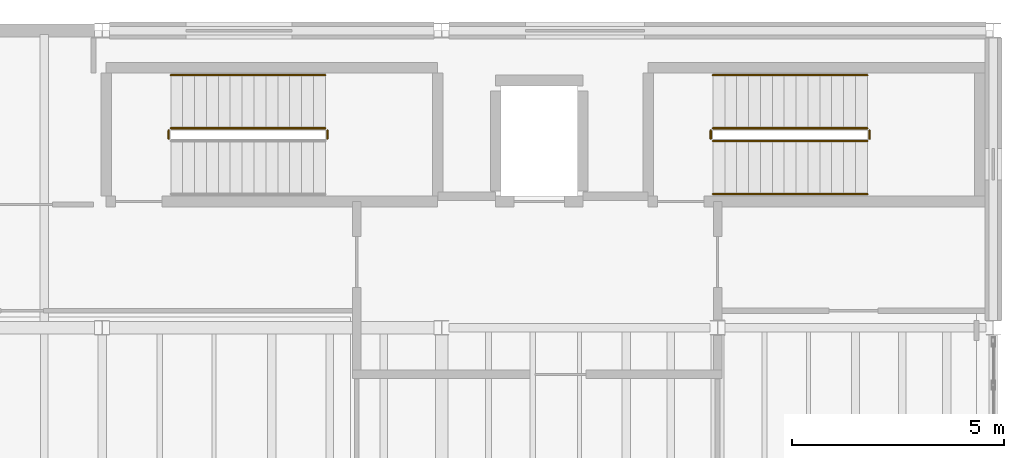
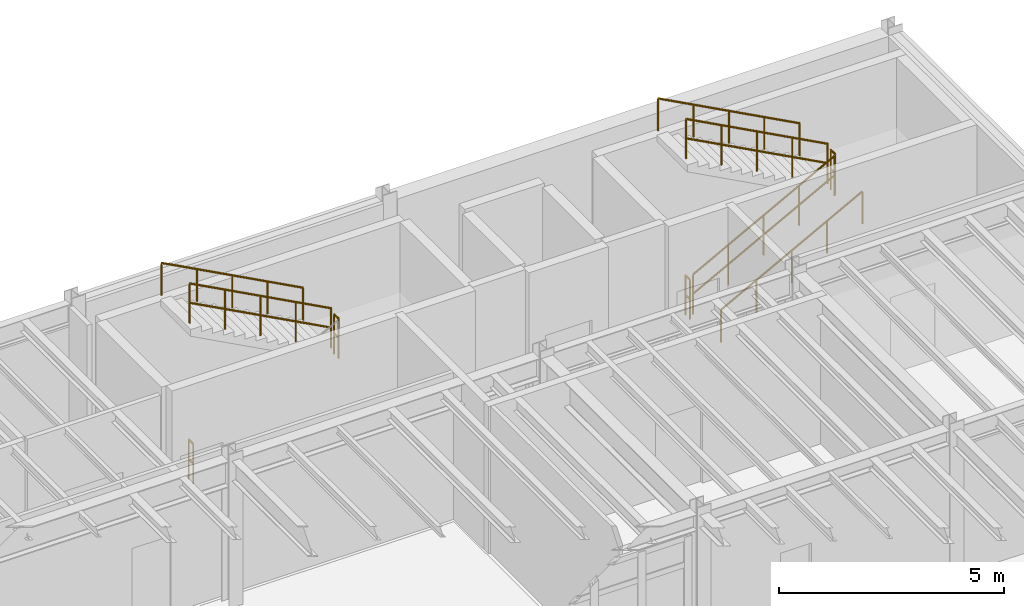
# One storey, part 27 of 27: 10 railings.
"""IFC4 building model written with IfcOpenShell, lengths in metres."""

from ifc_helpers import new_model, si_unit, direction, frame, origin, origin_2d, place, context, subcontext, project, spatial, circle, extrude, material, type_object, element, save


model = new_model("IFC4")

# Units and contexts
model_context = context("Model", 3, precision=1e-05, world=origin(), true_north=direction((0.0, 1.0)))
body_context = subcontext(model_context, "Body", "Model", "MODEL_VIEW")
ifc_project = project(units=[si_unit("LENGTHUNIT", "METRE"), si_unit("AREAUNIT", "SQUARE_METRE"), si_unit("VOLUMEUNIT", "CUBIC_METRE"), si_unit("PLANEANGLEUNIT", "RADIAN"), si_unit("MASSUNIT", "GRAM", prefix="KILO"), si_unit("THERMODYNAMICTEMPERATUREUNIT", "KELVIN"), si_unit("POWERUNIT", "WATT")], contexts=[model_context])

# Site, building, storey
site_placement = place(None, origin())
site = spatial("IfcSite", under=ifc_project, at=site_placement, CompositionType="ELEMENT")
building_placement = place(site_placement, origin())
building = spatial("IfcBuilding", under=site, at=building_placement, Name="Zhenchuan Central Fire Station", CompositionType="ELEMENT")
storey_placement = place(building_placement, frame((0.0, 0.0, 14.25)))
storey = spatial("IfcBuildingStorey", under=building, at=storey_placement, Name="L04", CompositionType="ELEMENT", Elevation=14.25)

# Railings
ifc_material_1 = material(Name="Galvanised powder-coated steel", Category="steel")
railing_type_1 = type_object("IfcRailingType", Name="RL-ST-GRD", PredefinedType="GUARDRAIL", material=ifc_material_1)
railing_1_placement = place(storey_placement, frame((145.31005859375, 53.949951171875, 2.10009765625)))
element("IfcRailing", 1, at=railing_1_placement, inside=storey, type_object=railing_type_1, Name="L04 ST-12 stair guard 2", PredefinedType="GUARDRAIL", context=body_context, shape_type="SweptSolid", body=[
    extrude(circle(Radius=0.02392578125, at=origin_2d()), frame((0.0, 0.0, 1.076171875), z_axis=(0.0, 1.0, 0.0), x_axis=(-1.0, 0.0, 0.0)), (0.0, 0.0, 1.0), 0.199951171875),
    extrude(circle(Radius=0.02392578125, at=origin_2d()), frame((0.0, 0.0, 0.550048828125), z_axis=(0.0, 1.0, 0.0), x_axis=(-1.0, 0.0, 0.0)), (0.0, 0.0, 1.0), 0.199951171875),
    extrude(circle(Radius=0.02099609375, at=origin_2d()), origin(), (0.0, 0.0, 1.0), 1.052001953125),
    extrude(circle(Radius=0.02099609375, at=origin_2d()), frame((0.0, 0.199951171875, 0.0)), (0.0, 0.0, 1.0), 1.052001953125),
])
railing_2_placement = place(storey_placement, frame((145.260009765625, 54.199951171875, 2.25)))
element("IfcRailing", 2, at=railing_2_placement, inside=storey, type_object=railing_type_1, Name="L04 ST-12 stair guard 3", PredefinedType="GUARDRAIL", context=body_context, shape_type="SweptSolid", body=[
    extrude(circle(Radius=0.02392578125, at=origin_2d()), frame((0.0, 0.0, 1.076171875), z_axis=(-0.881479091078, 0.0, 0.472223053219), x_axis=(0.0, -1.0, 0.0)), (0.0, 0.0, 1.0), 4.12939453125),
    extrude(circle(Radius=0.02392578125, at=origin_2d()), frame((0.0, 0.0, 0.550048828125), z_axis=(-0.881479091078, 0.0, 0.472223053219), x_axis=(0.0, -1.0, 0.0)), (0.0, 0.0, 1.0), 4.12939453125),
    extrude(circle(Radius=0.02099609375, at=origin_2d()), origin(), (0.0, 0.0, 1.0), 1.052001953125),
    extrude(circle(Radius=0.02099609375, at=origin_2d()), frame((-0.909912109375, 0.0, 0.487548828125)), (0.0, 0.0, 1.0), 1.052001953125),
    extrude(circle(Radius=0.02099609375, at=origin_2d()), frame((-1.81982421875, 0.0, 0.97509765625)), (0.0, 0.0, 1.0), 1.052001953125),
    extrude(circle(Radius=0.02099609375, at=origin_2d()), frame((-2.72998046875, 0.0, 1.46240234375)), (0.0, 0.0, 1.0), 1.052001953125),
    extrude(circle(Radius=0.02099609375, at=origin_2d()), frame((-3.639892578125, 0.0, 1.949951171875)), (0.0, 0.0, 1.0), 1.052001953125),
])
railing_3_placement = place(storey_placement, frame((141.570068359375, 53.949951171875, 0.0)))
element("IfcRailing", 3, at=railing_3_placement, inside=storey, type_object=railing_type_1, Name="L04 ST-12 stair guard 4", PredefinedType="GUARDRAIL", context=body_context, shape_type="SweptSolid", body=[
    extrude(circle(Radius=0.02392578125, at=origin_2d()), frame((0.0, 0.0, 1.076171875), z_axis=(0.0, 1.0, 0.0), x_axis=(-1.0, 0.0, 0.0)), (0.0, 0.0, 1.0), 0.199951171875),
    extrude(circle(Radius=0.02392578125, at=origin_2d()), frame((0.0, 0.0, 0.550048828125), z_axis=(0.0, 1.0, 0.0), x_axis=(-1.0, 0.0, 0.0)), (0.0, 0.0, 1.0), 0.199951171875),
    extrude(circle(Radius=0.02099609375, at=origin_2d()), origin(), (0.0, 0.0, 1.0), 1.052001953125),
    extrude(circle(Radius=0.02099609375, at=origin_2d()), frame((0.0, 0.199951171875, 0.0)), (0.0, 0.0, 1.0), 1.052001953125),
])
railing_4_placement = place(storey_placement, frame((154.389892578125, 53.89990234375, 0.14990234375)))
element("IfcRailing", 4, at=railing_4_placement, inside=storey, type_object=railing_type_1, Name="L04 ST-13 stair guard 1", PredefinedType="GUARDRAIL", context=body_context, shape_type="SweptSolid", body=[
    extrude(circle(Radius=0.02392578125, at=origin_2d()), frame((0.0, 0.0, 1.076171875), z_axis=(0.881467665431, 0.0, 0.47224438038), x_axis=(0.0, 1.0, 0.0)), (0.0, 0.0, 1.0), 4.129638671875),
    extrude(circle(Radius=0.02392578125, at=origin_2d()), frame((0.0, 0.0, 0.550048828125), z_axis=(0.881467665431, 0.0, 0.47224438038), x_axis=(0.0, 1.0, 0.0)), (0.0, 0.0, 1.0), 4.129638671875),
    extrude(circle(Radius=0.02099609375, at=origin_2d()), origin(), (0.0, 0.0, 1.0), 1.052001953125),
    extrude(circle(Radius=0.02099609375, at=origin_2d()), frame((0.91015625, 0.0, 0.487548828125)), (0.0, 0.0, 1.0), 1.052001953125),
    extrude(circle(Radius=0.02099609375, at=origin_2d()), frame((1.820068359375, 0.0, 0.97509765625)), (0.0, 0.0, 1.0), 1.052001953125),
    extrude(circle(Radius=0.02099609375, at=origin_2d()), frame((2.72998046875, 0.0, 1.462646484375)), (0.0, 0.0, 1.0), 1.052001953125),
    extrude(circle(Radius=0.02099609375, at=origin_2d()), frame((3.64013671875, 0.0, 1.9501953125)), (0.0, 0.0, 1.0), 1.052001953125),
])
railing_5_placement = place(storey_placement, frame((158.080078125, 53.949951171875, 2.10009765625)))
element("IfcRailing", 5, at=railing_5_placement, inside=storey, type_object=railing_type_1, Name="L04 ST-13 stair guard 2", PredefinedType="GUARDRAIL", context=body_context, shape_type="SweptSolid", body=[
    extrude(circle(Radius=0.02392578125, at=origin_2d()), frame((0.0, 0.0, 1.076171875), z_axis=(0.0, 1.0, 0.0), x_axis=(-1.0, 0.0, 0.0)), (0.0, 0.0, 1.0), 0.199951171875),
    extrude(circle(Radius=0.02392578125, at=origin_2d()), frame((0.0, 0.0, 0.550048828125), z_axis=(0.0, 1.0, 0.0), x_axis=(-1.0, 0.0, 0.0)), (0.0, 0.0, 1.0), 0.199951171875),
    extrude(circle(Radius=0.02099609375, at=origin_2d()), origin(), (0.0, 0.0, 1.0), 1.052001953125),
    extrude(circle(Radius=0.02099609375, at=origin_2d()), frame((0.0, 0.199951171875, 0.0)), (0.0, 0.0, 1.0), 1.052001953125),
])
railing_6_placement = place(storey_placement, frame((158.030029296875, 54.199951171875, 2.25)))
element("IfcRailing", 6, at=railing_6_placement, inside=storey, type_object=railing_type_1, Name="L04 ST-13 stair guard 3", PredefinedType="GUARDRAIL", context=body_context, shape_type="SweptSolid", body=[
    extrude(circle(Radius=0.02392578125, at=origin_2d()), frame((0.0, 0.0, 1.076171875), z_axis=(-0.881492274372, 0.0, 0.472198443689), x_axis=(0.0, -1.0, 0.0)), (0.0, 0.0, 1.0), 4.12939453125),
    extrude(circle(Radius=0.02392578125, at=origin_2d()), frame((0.0, 0.0, 0.550048828125), z_axis=(-0.881492274372, 0.0, 0.472198443689), x_axis=(0.0, -1.0, 0.0)), (0.0, 0.0, 1.0), 4.12939453125),
    extrude(circle(Radius=0.02099609375, at=origin_2d()), origin(), (0.0, 0.0, 1.0), 1.052001953125),
    extrude(circle(Radius=0.02099609375, at=origin_2d()), frame((-0.91015625, 0.0, 0.487548828125)), (0.0, 0.0, 1.0), 1.052001953125),
    extrude(circle(Radius=0.02099609375, at=origin_2d()), frame((-1.820068359375, 0.0, 0.97509765625)), (0.0, 0.0, 1.0), 1.052001953125),
    extrude(circle(Radius=0.02099609375, at=origin_2d()), frame((-2.72998046875, 0.0, 1.46240234375)), (0.0, 0.0, 1.0), 1.052001953125),
    extrude(circle(Radius=0.02099609375, at=origin_2d()), frame((-3.64013671875, 0.0, 1.949951171875)), (0.0, 0.0, 1.0), 1.052001953125),
])
railing_7_placement = place(storey_placement, frame((154.340087890625, 53.949951171875, 0.0)))
element("IfcRailing", 7, at=railing_7_placement, inside=storey, type_object=railing_type_1, Name="L04 ST-13 stair guard 4", PredefinedType="GUARDRAIL", context=body_context, shape_type="SweptSolid", body=[
    extrude(circle(Radius=0.02392578125, at=origin_2d()), frame((0.0, 0.0, 1.076171875), z_axis=(0.0, 1.0, 0.0), x_axis=(-1.0, 0.0, 0.0)), (0.0, 0.0, 1.0), 0.199951171875),
    extrude(circle(Radius=0.02392578125, at=origin_2d()), frame((0.0, 0.0, 0.550048828125), z_axis=(0.0, 1.0, 0.0), x_axis=(-1.0, 0.0, 0.0)), (0.0, 0.0, 1.0), 0.199951171875),
    extrude(circle(Radius=0.02099609375, at=origin_2d()), origin(), (0.0, 0.0, 1.0), 1.052001953125),
    extrude(circle(Radius=0.02099609375, at=origin_2d()), frame((0.0, 0.199951171875, 0.0)), (0.0, 0.0, 1.0), 1.052001953125),
])
ifc_material_2 = material(Name="Brushed stainless steel handrail", Category="steel")
railing_type_2 = type_object("IfcRailingType", Name="RL-ST-HND", PredefinedType="HANDRAIL", material=ifc_material_2)
railing_8_placement = place(storey_placement, frame((145.260009765625, 55.449951171875, 2.25)))
element("IfcRailing", 8, at=railing_8_placement, inside=storey, type_object=railing_type_2, Name="L04 ST-12 stair handrail 2", PredefinedType="HANDRAIL", context=body_context, shape_type="SweptSolid", body=[
    extrude(circle(Radius=0.02392578125, at=origin_2d()), frame((0.0, 0.0, 0.8759765625), z_axis=(-0.881479091078, 0.0, 0.472223053219), x_axis=(0.0, -1.0, 0.0)), (0.0, 0.0, 1.0), 4.12939453125),
    extrude(circle(Radius=0.02099609375, at=origin_2d()), origin(), (0.0, 0.0, 1.0), 0.851806640625),
    extrude(circle(Radius=0.02099609375, at=origin_2d()), frame((-0.909912109375, 0.0, 0.487548828125)), (0.0, 0.0, 1.0), 0.851806640625),
    extrude(circle(Radius=0.02099609375, at=origin_2d()), frame((-1.81982421875, 0.0, 0.97509765625)), (0.0, 0.0, 1.0), 0.851806640625),
    extrude(circle(Radius=0.02099609375, at=origin_2d()), frame((-2.72998046875, 0.0, 1.46240234375)), (0.0, 0.0, 1.0), 0.851806640625),
    extrude(circle(Radius=0.02099609375, at=origin_2d()), frame((-3.639892578125, 0.0, 1.949951171875)), (0.0, 0.0, 1.0), 0.851806640625),
])
railing_9_placement = place(storey_placement, frame((154.389892578125, 52.64990234375, 0.14990234375)))
element("IfcRailing", 9, at=railing_9_placement, inside=storey, type_object=railing_type_2, Name="L04 ST-13 stair handrail 1", PredefinedType="HANDRAIL", context=body_context, shape_type="SweptSolid", body=[
    extrude(circle(Radius=0.02392578125, at=origin_2d()), frame((0.0, 0.0, 0.8759765625), z_axis=(0.881467665431, 0.0, 0.47224438038), x_axis=(0.0, 1.0, 0.0)), (0.0, 0.0, 1.0), 4.129638671875),
    extrude(circle(Radius=0.02099609375, at=origin_2d()), origin(), (0.0, 0.0, 1.0), 0.851806640625),
    extrude(circle(Radius=0.02099609375, at=origin_2d()), frame((0.91015625, 0.0, 0.487548828125)), (0.0, 0.0, 1.0), 0.851806640625),
    extrude(circle(Radius=0.02099609375, at=origin_2d()), frame((1.820068359375, 0.0, 0.97509765625)), (0.0, 0.0, 1.0), 0.851806640625),
    extrude(circle(Radius=0.02099609375, at=origin_2d()), frame((2.72998046875, 0.0, 1.462646484375)), (0.0, 0.0, 1.0), 0.851806640625),
    extrude(circle(Radius=0.02099609375, at=origin_2d()), frame((3.64013671875, 0.0, 1.9501953125)), (0.0, 0.0, 1.0), 0.851806640625),
])
railing_10_placement = place(storey_placement, frame((158.030029296875, 55.449951171875, 2.25)))
element("IfcRailing", 10, at=railing_10_placement, inside=storey, type_object=railing_type_2, Name="L04 ST-13 stair handrail 2", PredefinedType="HANDRAIL", context=body_context, shape_type="SweptSolid", body=[
    extrude(circle(Radius=0.02392578125, at=origin_2d()), frame((0.0, 0.0, 0.8759765625), z_axis=(-0.881492274372, 0.0, 0.472198443689), x_axis=(0.0, -1.0, 0.0)), (0.0, 0.0, 1.0), 4.12939453125),
    extrude(circle(Radius=0.02099609375, at=origin_2d()), origin(), (0.0, 0.0, 1.0), 0.851806640625),
    extrude(circle(Radius=0.02099609375, at=origin_2d()), frame((-0.91015625, 0.0, 0.487548828125)), (0.0, 0.0, 1.0), 0.851806640625),
    extrude(circle(Radius=0.02099609375, at=origin_2d()), frame((-1.820068359375, 0.0, 0.97509765625)), (0.0, 0.0, 1.0), 0.851806640625),
    extrude(circle(Radius=0.02099609375, at=origin_2d()), frame((-2.72998046875, 0.0, 1.46240234375)), (0.0, 0.0, 1.0), 0.851806640625),
    extrude(circle(Radius=0.02099609375, at=origin_2d()), frame((-3.64013671875, 0.0, 1.949951171875)), (0.0, 0.0, 1.0), 0.851806640625),
])

save(model, "model.ifc")
